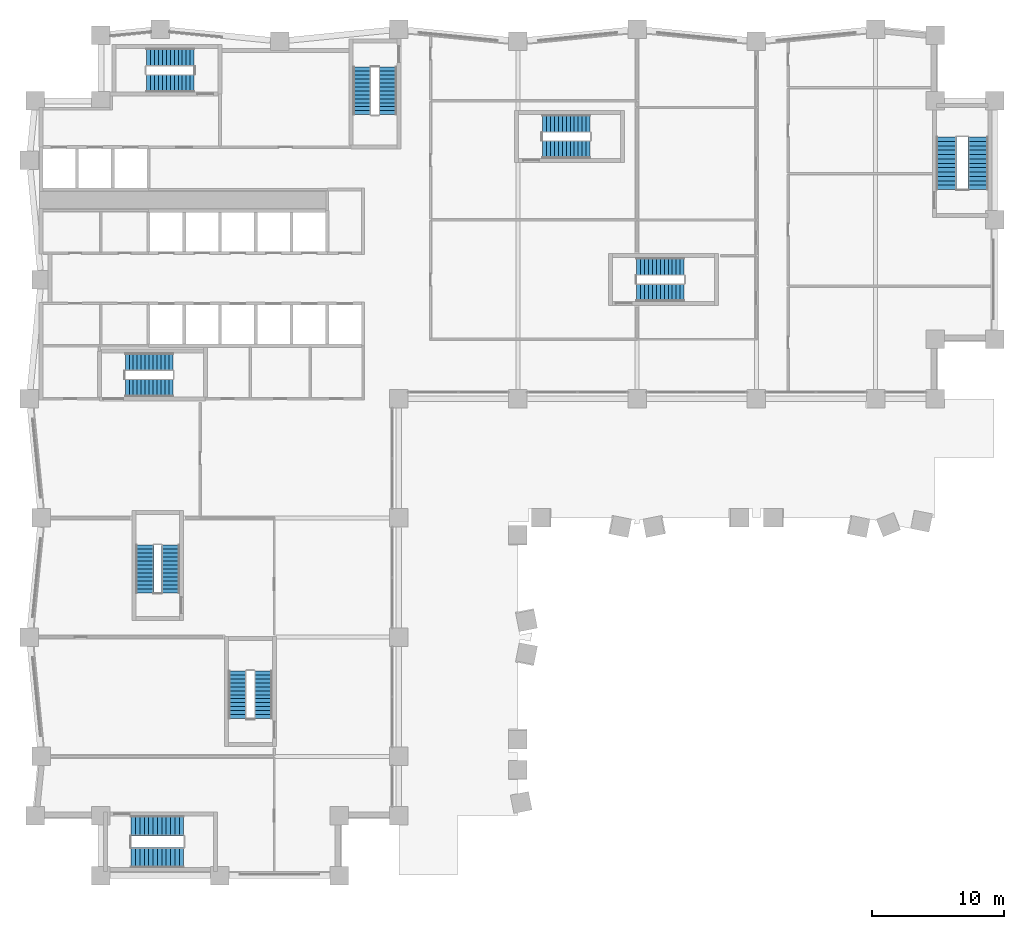
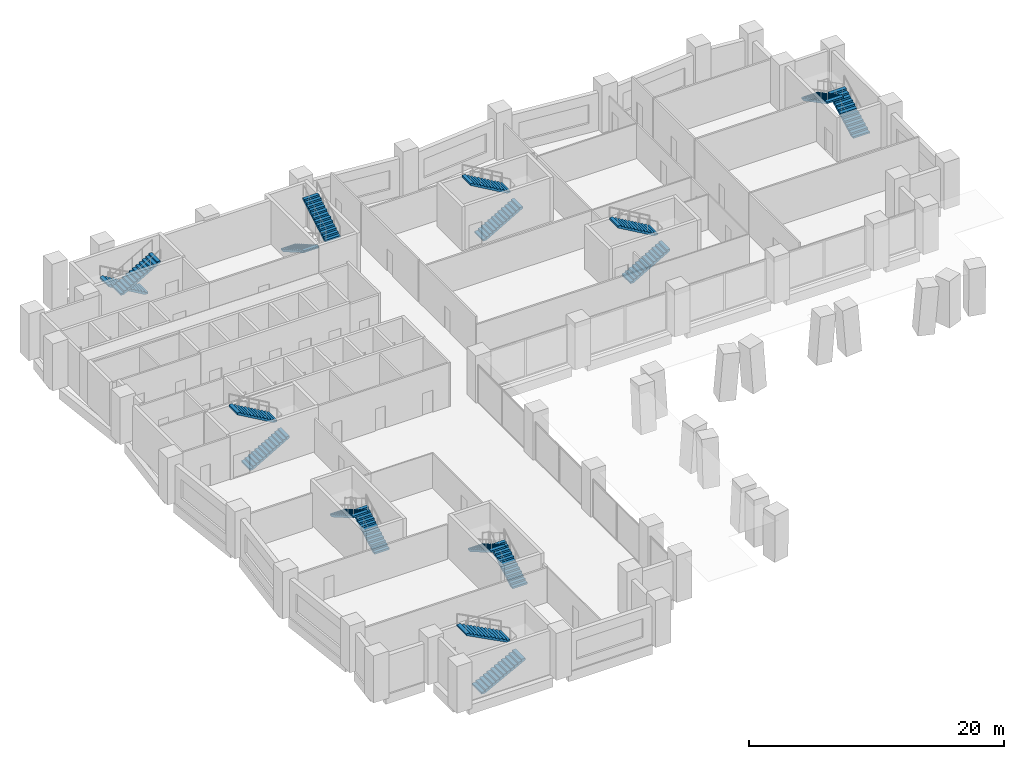
# One storey, part 14 of 18: 18 stair flights, 9 elements without a shape of their own.
"""IFC4 building model written with IfcOpenShell, lengths in metres."""

from ifc_helpers import new_model, si_unit, direction, frame, origin, place, context, subcontext, project, spatial, polyline, outline, extrude, material, type_object, element, aggregate, save


model = new_model("IFC4")

# Units and contexts
model_context = context("Model", 3, precision=1e-05, world=origin(), true_north=direction((0.0, 1.0)))
body_context = subcontext(model_context, "Body", "Model", "MODEL_VIEW")
ifc_project = project(units=[si_unit("LENGTHUNIT", "METRE"), si_unit("AREAUNIT", "SQUARE_METRE"), si_unit("VOLUMEUNIT", "CUBIC_METRE"), si_unit("PLANEANGLEUNIT", "RADIAN"), si_unit("MASSUNIT", "GRAM", prefix="KILO")], contexts=[model_context])

# Site, building, storey
site_placement = place(None, origin())
site = spatial("IfcSite", under=ifc_project, at=site_placement, CompositionType="ELEMENT")
building_placement = place(site_placement, origin())
building = spatial("IfcBuilding", under=site, at=building_placement, Name="Brondeck Convention Tower", CompositionType="ELEMENT")
storey_placement = place(building_placement, frame((0.0, 0.0, 27.5)))
storey = spatial("IfcBuildingStorey", under=building, at=storey_placement, Name="L04", CompositionType="ELEMENT", Elevation=27.5)

# Stair, stair flights
ifc_material = material(Name="Precast concrete C50/60", Category="concrete")
stair_type_1 = type_object("IfcStairType", Name="Core stair 26 risers 173.08 mm riser 300 mm going 1350 wide", PredefinedType="HALF_TURN_STAIR", material=ifc_material)
stair_1_placement = place(storey_placement, origin())
stair_1 = element("IfcStair", 1, at=stair_1_placement, inside=storey, type_object=stair_type_1, Name="ST-1 L04 stair", PredefinedType="HALF_TURN_STAIR")
stair_flight_type_1 = type_object("IfcStairFlightType", Name="Core stair flight 26 risers 173.08 mm riser 300 mm going 1350 wide", PredefinedType="STRAIGHT", material=ifc_material)
stair_flight_1_placement = place(storey_placement, frame((6.35009765625, 36.824951171875, 0.0), z_axis=(0.0, 0.0, 1.0), x_axis=(1.0, 0.0, 0.0)))
stair_flight_1 = element("IfcStairFlight", 2, at=stair_flight_1_placement, type_object=stair_flight_type_1, Name="ST-1 flight 1", NumberOfRisers=13, NumberOfTreads=12, PredefinedType="STRAIGHT", RiserHeight=0.173076923, TreadLength=0.3, context=body_context, shape_type="SweptSolid", body=[
    extrude(outline(polyline([(0.0, 0.0), (0.0, 0.173095703125), (0.300048828125, 0.173095703125), (0.300048828125, 0.34619140625), (0.60009765625, 0.34619140625), (0.60009765625, 0.519287109375), (0.89990234375, 0.519287109375), (0.89990234375, 0.6923828125), (1.199951171875, 0.6923828125), (1.199951171875, 0.865478515625), (1.5, 0.865478515625), (1.5, 1.03857421875), (1.800048828125, 1.03857421875), (1.800048828125, 1.21142578125), (2.10009765625, 1.21142578125), (2.10009765625, 1.384521484375), (2.39990234375, 1.384521484375), (2.39990234375, 1.5576171875), (2.699951171875, 1.5576171875), (2.699951171875, 1.730712890625), (3.0, 1.730712890625), (3.0, 1.90380859375), (3.300048828125, 1.90380859375), (3.300048828125, 2.076904296875), (3.60009765625, 2.076904296875), (3.60009765625, 2.25), (3.60009765625, 1.90380859375), (0.300048828125, 0.0), (0.0, 0.0)])), frame((0.0, 0.675048828125, 0.0), z_axis=(0.0, -1.0, 0.0), x_axis=(1.0, 0.0, 0.0)), (0.0, 0.0, 1.0), 1.35009765625),
])
stair_flight_2_placement = place(storey_placement, frame((9.949951171875, 38.77490234375, 2.25), z_axis=(0.0, 0.0, 1.0), x_axis=(-1.0, 0.0, 0.0)))
stair_flight_2 = element("IfcStairFlight", 3, at=stair_flight_2_placement, type_object=stair_flight_type_1, Name="ST-1 flight 2", NumberOfRisers=13, NumberOfTreads=12, PredefinedType="STRAIGHT", RiserHeight=0.173076923, TreadLength=0.3, context=body_context, shape_type="SweptSolid", body=[
    extrude(outline(polyline([(0.0, 0.0), (0.0, 0.173095703125), (0.300048828125, 0.173095703125), (0.300048828125, 0.34619140625), (0.60009765625, 0.34619140625), (0.60009765625, 0.519287109375), (0.89990234375, 0.519287109375), (0.89990234375, 0.6923828125), (1.199951171875, 0.6923828125), (1.199951171875, 0.865478515625), (1.5, 0.865478515625), (1.5, 1.03857421875), (1.800048828125, 1.03857421875), (1.800048828125, 1.21142578125), (2.10009765625, 1.21142578125), (2.10009765625, 1.384521484375), (2.39990234375, 1.384521484375), (2.39990234375, 1.5576171875), (2.699951171875, 1.5576171875), (2.699951171875, 1.730712890625), (3.0, 1.730712890625), (3.0, 1.90380859375), (3.300048828125, 1.90380859375), (3.300048828125, 2.076904296875), (3.60009765625, 2.076904296875), (3.60009765625, 2.25), (3.60009765625, 1.90380859375), (0.300048828125, 0.0), (0.0, 0.0)])), frame((0.0, 0.675048828125, 0.0), z_axis=(0.0, -1.0, 0.0), x_axis=(1.0, 0.0, 0.0)), (0.0, 0.0, 1.0), 1.35009765625),
])
aggregate(stair_1, [stair_flight_1, stair_flight_2])

stair_2_placement = place(storey_placement, origin())
stair_2 = element("IfcStair", 4, at=stair_2_placement, inside=storey, type_object=stair_type_1, Name="ST-2 L04 stair", PredefinedType="HALF_TURN_STAIR")
stair_flight_3_placement = place(storey_placement, frame((24.22509765625, 61.050048828125, 0.0), z_axis=(0.0, 0.0, 1.0), x_axis=(0.0, -1.0, 0.0)))
stair_flight_3 = element("IfcStairFlight", 5, at=stair_flight_3_placement, type_object=stair_flight_type_1, Name="ST-2 flight 1", NumberOfRisers=13, NumberOfTreads=12, PredefinedType="STRAIGHT", RiserHeight=0.173076923, TreadLength=0.3, context=body_context, shape_type="SweptSolid", body=[
    extrude(outline(polyline([(0.0, 0.0), (0.0, 0.173095703125), (0.300048828125, 0.173095703125), (0.300048828125, 0.34619140625), (0.60009765625, 0.34619140625), (0.60009765625, 0.519287109375), (0.89990234375, 0.519287109375), (0.89990234375, 0.6923828125), (1.199951171875, 0.6923828125), (1.199951171875, 0.865478515625), (1.5, 0.865478515625), (1.5, 1.03857421875), (1.800048828125, 1.03857421875), (1.800048828125, 1.21142578125), (2.10009765625, 1.21142578125), (2.10009765625, 1.384521484375), (2.39990234375, 1.384521484375), (2.39990234375, 1.5576171875), (2.699951171875, 1.5576171875), (2.699951171875, 1.730712890625), (3.0, 1.730712890625), (3.0, 1.90380859375), (3.300048828125, 1.90380859375), (3.300048828125, 2.076904296875), (3.60009765625, 2.076904296875), (3.60009765625, 2.25), (3.60009765625, 1.90380859375), (0.300048828125, 0.0), (0.0, 0.0)])), frame((0.0, 0.675048828125, 0.0), z_axis=(0.0, -1.0, 0.0), x_axis=(1.0, 0.0, 0.0)), (0.0, 0.0, 1.0), 1.35009765625),
])
stair_flight_4_placement = place(storey_placement, frame((26.175048828125, 57.449951171875, 2.25), z_axis=(0.0, 0.0, 1.0), x_axis=(0.0, 1.0, 0.0)))
stair_flight_4 = element("IfcStairFlight", 6, at=stair_flight_4_placement, type_object=stair_flight_type_1, Name="ST-2 flight 2", NumberOfRisers=13, NumberOfTreads=12, PredefinedType="STRAIGHT", RiserHeight=0.173076923, TreadLength=0.3, context=body_context, shape_type="SweptSolid", body=[
    extrude(outline(polyline([(0.0, 0.0), (0.0, 0.173095703125), (0.300048828125, 0.173095703125), (0.300048828125, 0.34619140625), (0.60009765625, 0.34619140625), (0.60009765625, 0.519287109375), (0.89990234375, 0.519287109375), (0.89990234375, 0.6923828125), (1.199951171875, 0.6923828125), (1.199951171875, 0.865478515625), (1.5, 0.865478515625), (1.5, 1.03857421875), (1.800048828125, 1.03857421875), (1.800048828125, 1.21142578125), (2.10009765625, 1.21142578125), (2.10009765625, 1.384521484375), (2.39990234375, 1.384521484375), (2.39990234375, 1.5576171875), (2.699951171875, 1.5576171875), (2.699951171875, 1.730712890625), (3.0, 1.730712890625), (3.0, 1.90380859375), (3.300048828125, 1.90380859375), (3.300048828125, 2.076904296875), (3.60009765625, 2.076904296875), (3.60009765625, 2.25), (3.60009765625, 1.90380859375), (0.300048828125, 0.0), (0.0, 0.0)])), frame((0.0, 0.675048828125, 0.0), z_axis=(0.0, -1.0, 0.0), x_axis=(1.0, 0.0, 0.0)), (0.0, 0.0, 1.0), 1.35009765625),
])
aggregate(stair_2, [stair_flight_3, stair_flight_4])

stair_3_placement = place(storey_placement, origin())
stair_3 = element("IfcStair", 7, at=stair_3_placement, inside=storey, type_object=stair_type_1, Name="ST-3 L04 stair", PredefinedType="HALF_TURN_STAIR")
stair_flight_5_placement = place(storey_placement, frame((11.550048828125, 61.77490234375, 0.0), z_axis=(0.0, 0.0, 1.0), x_axis=(-1.0, 0.0, 0.0)))
stair_flight_5 = element("IfcStairFlight", 8, at=stair_flight_5_placement, type_object=stair_flight_type_1, Name="ST-3 flight 1", NumberOfRisers=13, NumberOfTreads=12, PredefinedType="STRAIGHT", RiserHeight=0.173076923, TreadLength=0.3, context=body_context, shape_type="SweptSolid", body=[
    extrude(outline(polyline([(0.0, 0.0), (0.0, 0.173095703125), (0.300048828125, 0.173095703125), (0.300048828125, 0.34619140625), (0.60009765625, 0.34619140625), (0.60009765625, 0.519287109375), (0.89990234375, 0.519287109375), (0.89990234375, 0.6923828125), (1.199951171875, 0.6923828125), (1.199951171875, 0.865478515625), (1.5, 0.865478515625), (1.5, 1.03857421875), (1.800048828125, 1.03857421875), (1.800048828125, 1.21142578125), (2.10009765625, 1.21142578125), (2.10009765625, 1.384521484375), (2.39990234375, 1.384521484375), (2.39990234375, 1.5576171875), (2.699951171875, 1.5576171875), (2.699951171875, 1.730712890625), (3.0, 1.730712890625), (3.0, 1.90380859375), (3.300048828125, 1.90380859375), (3.300048828125, 2.076904296875), (3.60009765625, 2.076904296875), (3.60009765625, 2.25), (3.60009765625, 1.90380859375), (0.300048828125, 0.0), (0.0, 0.0)])), frame((0.0, 0.675048828125, 0.0), z_axis=(0.0, -1.0, 0.0), x_axis=(1.0, 0.0, 0.0)), (0.0, 0.0, 1.0), 1.35009765625),
])
stair_flight_6_placement = place(storey_placement, frame((7.949951171875, 59.824951171875, 2.25), z_axis=(0.0, 0.0, 1.0), x_axis=(1.0, 0.0, 0.0)))
stair_flight_6 = element("IfcStairFlight", 9, at=stair_flight_6_placement, type_object=stair_flight_type_1, Name="ST-3 flight 2", NumberOfRisers=13, NumberOfTreads=12, PredefinedType="STRAIGHT", RiserHeight=0.173076923, TreadLength=0.3, context=body_context, shape_type="SweptSolid", body=[
    extrude(outline(polyline([(0.0, 0.0), (0.0, 0.173095703125), (0.300048828125, 0.173095703125), (0.300048828125, 0.34619140625), (0.60009765625, 0.34619140625), (0.60009765625, 0.519287109375), (0.89990234375, 0.519287109375), (0.89990234375, 0.6923828125), (1.199951171875, 0.6923828125), (1.199951171875, 0.865478515625), (1.5, 0.865478515625), (1.5, 1.03857421875), (1.800048828125, 1.03857421875), (1.800048828125, 1.21142578125), (2.10009765625, 1.21142578125), (2.10009765625, 1.384521484375), (2.39990234375, 1.384521484375), (2.39990234375, 1.5576171875), (2.699951171875, 1.5576171875), (2.699951171875, 1.730712890625), (3.0, 1.730712890625), (3.0, 1.90380859375), (3.300048828125, 1.90380859375), (3.300048828125, 2.076904296875), (3.60009765625, 2.076904296875), (3.60009765625, 2.25), (3.60009765625, 1.90380859375), (0.300048828125, 0.0), (0.0, 0.0)])), frame((0.0, 0.675048828125, 0.0), z_axis=(0.0, -1.0, 0.0), x_axis=(1.0, 0.0, 0.0)), (0.0, 0.0, 1.0), 1.35009765625),
])
aggregate(stair_3, [stair_flight_5, stair_flight_6])

stair_4_placement = place(storey_placement, origin())
stair_4 = element("IfcStair", 10, at=stair_4_placement, inside=storey, type_object=stair_type_1, Name="ST-AE L04 stair", PredefinedType="HALF_TURN_STAIR")
stair_flight_7_placement = place(storey_placement, frame((37.85009765625, 54.824951171875, 0.0), z_axis=(0.0, 0.0, 1.0), x_axis=(1.0, 0.0, 0.0)))
stair_flight_7 = element("IfcStairFlight", 11, at=stair_flight_7_placement, type_object=stair_flight_type_1, Name="ST-AE flight 1", NumberOfRisers=13, NumberOfTreads=12, PredefinedType="STRAIGHT", RiserHeight=0.173076923, TreadLength=0.3, context=body_context, shape_type="SweptSolid", body=[
    extrude(outline(polyline([(0.0, 0.0), (0.0, 0.173095703125), (0.300048828125, 0.173095703125), (0.300048828125, 0.34619140625), (0.60009765625, 0.34619140625), (0.60009765625, 0.519287109375), (0.89990234375, 0.519287109375), (0.89990234375, 0.6923828125), (1.199951171875, 0.6923828125), (1.199951171875, 0.865478515625), (1.5, 0.865478515625), (1.5, 1.03857421875), (1.800048828125, 1.03857421875), (1.800048828125, 1.21142578125), (2.10009765625, 1.21142578125), (2.10009765625, 1.384521484375), (2.39990234375, 1.384521484375), (2.39990234375, 1.5576171875), (2.699951171875, 1.5576171875), (2.699951171875, 1.730712890625), (3.0, 1.730712890625), (3.0, 1.90380859375), (3.300048828125, 1.90380859375), (3.300048828125, 2.076904296875), (3.60009765625, 2.076904296875), (3.60009765625, 2.25), (3.60009765625, 1.90380859375), (0.300048828125, 0.0), (0.0, 0.0)])), frame((0.0, 0.675048828125, 0.0), z_axis=(0.0, -1.0, 0.0), x_axis=(1.0, 0.0, 0.0)), (0.0, 0.0, 1.0), 1.35009765625),
])
stair_flight_8_placement = place(storey_placement, frame((41.449951171875, 56.77490234375, 2.25), z_axis=(0.0, 0.0, 1.0), x_axis=(-1.0, 0.0, 0.0)))
stair_flight_8 = element("IfcStairFlight", 12, at=stair_flight_8_placement, type_object=stair_flight_type_1, Name="ST-AE flight 2", NumberOfRisers=13, NumberOfTreads=12, PredefinedType="STRAIGHT", RiserHeight=0.173076923, TreadLength=0.3, context=body_context, shape_type="SweptSolid", body=[
    extrude(outline(polyline([(0.0, 0.0), (0.0, 0.173095703125), (0.300048828125, 0.173095703125), (0.300048828125, 0.34619140625), (0.60009765625, 0.34619140625), (0.60009765625, 0.519287109375), (0.89990234375, 0.519287109375), (0.89990234375, 0.6923828125), (1.199951171875, 0.6923828125), (1.199951171875, 0.865478515625), (1.5, 0.865478515625), (1.5, 1.03857421875), (1.800048828125, 1.03857421875), (1.800048828125, 1.21142578125), (2.10009765625, 1.21142578125), (2.10009765625, 1.384521484375), (2.39990234375, 1.384521484375), (2.39990234375, 1.5576171875), (2.699951171875, 1.5576171875), (2.699951171875, 1.730712890625), (3.0, 1.730712890625), (3.0, 1.90380859375), (3.300048828125, 1.90380859375), (3.300048828125, 2.076904296875), (3.60009765625, 2.076904296875), (3.60009765625, 2.25), (3.60009765625, 1.90380859375), (0.300048828125, 0.0), (0.0, 0.0)])), frame((0.0, 0.675048828125, 0.0), z_axis=(0.0, -1.0, 0.0), x_axis=(1.0, 0.0, 0.0)), (0.0, 0.0, 1.0), 1.35009765625),
])
aggregate(stair_4, [stair_flight_7, stair_flight_8])

stair_5_placement = place(storey_placement, origin())
stair_5 = element("IfcStair", 13, at=stair_5_placement, inside=storey, type_object=stair_type_1, Name="ST-BE L04 stair", PredefinedType="HALF_TURN_STAIR")
stair_flight_9_placement = place(storey_placement, frame((9.77490234375, 21.35009765625, 0.0), z_axis=(0.0, 0.0, 1.0), x_axis=(0.0, 1.0, 0.0)))
stair_flight_9 = element("IfcStairFlight", 14, at=stair_flight_9_placement, type_object=stair_flight_type_1, Name="ST-BE flight 1", NumberOfRisers=13, NumberOfTreads=12, PredefinedType="STRAIGHT", RiserHeight=0.173076923, TreadLength=0.3, context=body_context, shape_type="SweptSolid", body=[
    extrude(outline(polyline([(0.0, 0.0), (0.0, 0.173095703125), (0.300048828125, 0.173095703125), (0.300048828125, 0.34619140625), (0.60009765625, 0.34619140625), (0.60009765625, 0.519287109375), (0.89990234375, 0.519287109375), (0.89990234375, 0.6923828125), (1.199951171875, 0.6923828125), (1.199951171875, 0.865478515625), (1.5, 0.865478515625), (1.5, 1.03857421875), (1.800048828125, 1.03857421875), (1.800048828125, 1.21142578125), (2.10009765625, 1.21142578125), (2.10009765625, 1.384521484375), (2.39990234375, 1.384521484375), (2.39990234375, 1.5576171875), (2.699951171875, 1.5576171875), (2.699951171875, 1.730712890625), (3.0, 1.730712890625), (3.0, 1.90380859375), (3.300048828125, 1.90380859375), (3.300048828125, 2.076904296875), (3.60009765625, 2.076904296875), (3.60009765625, 2.25), (3.60009765625, 1.90380859375), (0.300048828125, 0.0), (0.0, 0.0)])), frame((0.0, 0.675048828125, 0.0), z_axis=(0.0, -1.0, 0.0), x_axis=(1.0, 0.0, 0.0)), (0.0, 0.0, 1.0), 1.35009765625),
])
stair_flight_10_placement = place(storey_placement, frame((7.824951171875, 24.949951171875, 2.25), z_axis=(0.0, 0.0, 1.0), x_axis=(0.0, -1.0, 0.0)))
stair_flight_10 = element("IfcStairFlight", 15, at=stair_flight_10_placement, type_object=stair_flight_type_1, Name="ST-BE flight 2", NumberOfRisers=13, NumberOfTreads=12, PredefinedType="STRAIGHT", RiserHeight=0.173076923, TreadLength=0.3, context=body_context, shape_type="SweptSolid", body=[
    extrude(outline(polyline([(0.0, 0.0), (0.0, 0.173095703125), (0.300048828125, 0.173095703125), (0.300048828125, 0.34619140625), (0.60009765625, 0.34619140625), (0.60009765625, 0.519287109375), (0.89990234375, 0.519287109375), (0.89990234375, 0.6923828125), (1.199951171875, 0.6923828125), (1.199951171875, 0.865478515625), (1.5, 0.865478515625), (1.5, 1.03857421875), (1.800048828125, 1.03857421875), (1.800048828125, 1.21142578125), (2.10009765625, 1.21142578125), (2.10009765625, 1.384521484375), (2.39990234375, 1.384521484375), (2.39990234375, 1.5576171875), (2.699951171875, 1.5576171875), (2.699951171875, 1.730712890625), (3.0, 1.730712890625), (3.0, 1.90380859375), (3.300048828125, 1.90380859375), (3.300048828125, 2.076904296875), (3.60009765625, 2.076904296875), (3.60009765625, 2.25), (3.60009765625, 1.90380859375), (0.300048828125, 0.0), (0.0, 0.0)])), frame((0.0, 0.675048828125, 0.0), z_axis=(0.0, -1.0, 0.0), x_axis=(1.0, 0.0, 0.0)), (0.0, 0.0, 1.0), 1.35009765625),
])
aggregate(stair_5, [stair_flight_9, stair_flight_10])

stair_6_placement = place(storey_placement, origin())
stair_6 = element("IfcStair", 16, at=stair_6_placement, inside=storey, type_object=stair_type_1, Name="ST-AF L04 stair", PredefinedType="HALF_TURN_STAIR")
stair_flight_11_placement = place(storey_placement, frame((44.949951171875, 44.02490234375, 0.0), z_axis=(0.0, 0.0, 1.0), x_axis=(1.0, 0.0, 0.0)))
stair_flight_11 = element("IfcStairFlight", 17, at=stair_flight_11_placement, type_object=stair_flight_type_1, Name="ST-AF flight 1", NumberOfRisers=13, NumberOfTreads=12, PredefinedType="STRAIGHT", RiserHeight=0.173076923, TreadLength=0.3, context=body_context, shape_type="SweptSolid", body=[
    extrude(outline(polyline([(0.0, 0.0), (0.0, 0.173095703125), (0.300048828125, 0.173095703125), (0.300048828125, 0.34619140625), (0.60009765625, 0.34619140625), (0.60009765625, 0.519287109375), (0.89990234375, 0.519287109375), (0.89990234375, 0.6923828125), (1.199951171875, 0.6923828125), (1.199951171875, 0.865478515625), (1.5, 0.865478515625), (1.5, 1.03857421875), (1.800048828125, 1.03857421875), (1.800048828125, 1.21142578125), (2.10009765625, 1.21142578125), (2.10009765625, 1.384521484375), (2.39990234375, 1.384521484375), (2.39990234375, 1.5576171875), (2.699951171875, 1.5576171875), (2.699951171875, 1.730712890625), (3.0, 1.730712890625), (3.0, 1.90380859375), (3.300048828125, 1.90380859375), (3.300048828125, 2.076904296875), (3.60009765625, 2.076904296875), (3.60009765625, 2.25), (3.60009765625, 1.90380859375), (0.300048828125, 0.0), (0.0, 0.0)])), frame((0.0, 0.675048828125, 0.0), z_axis=(0.0, -1.0, 0.0), x_axis=(1.0, 0.0, 0.0)), (0.0, 0.0, 1.0), 1.35009765625),
])
stair_flight_12_placement = place(storey_placement, frame((48.550048828125, 45.97509765625, 2.25), z_axis=(0.0, 0.0, 1.0), x_axis=(-1.0, 0.0, 0.0)))
stair_flight_12 = element("IfcStairFlight", 18, at=stair_flight_12_placement, type_object=stair_flight_type_1, Name="ST-AF flight 2", NumberOfRisers=13, NumberOfTreads=12, PredefinedType="STRAIGHT", RiserHeight=0.173076923, TreadLength=0.3, context=body_context, shape_type="SweptSolid", body=[
    extrude(outline(polyline([(0.0, 0.0), (0.0, 0.173095703125), (0.300048828125, 0.173095703125), (0.300048828125, 0.34619140625), (0.60009765625, 0.34619140625), (0.60009765625, 0.519287109375), (0.89990234375, 0.519287109375), (0.89990234375, 0.6923828125), (1.199951171875, 0.6923828125), (1.199951171875, 0.865478515625), (1.5, 0.865478515625), (1.5, 1.03857421875), (1.800048828125, 1.03857421875), (1.800048828125, 1.21142578125), (2.10009765625, 1.21142578125), (2.10009765625, 1.384521484375), (2.39990234375, 1.384521484375), (2.39990234375, 1.5576171875), (2.699951171875, 1.5576171875), (2.699951171875, 1.730712890625), (3.0, 1.730712890625), (3.0, 1.90380859375), (3.300048828125, 1.90380859375), (3.300048828125, 2.076904296875), (3.60009765625, 2.076904296875), (3.60009765625, 2.25), (3.60009765625, 1.90380859375), (0.300048828125, 0.0), (0.0, 0.0)])), frame((0.0, 0.675048828125, 0.0), z_axis=(0.0, -1.0, 0.0), x_axis=(1.0, 0.0, 0.0)), (0.0, 0.0, 1.0), 1.35009765625),
])
aggregate(stair_6, [stair_flight_11, stair_flight_12])

stair_7_placement = place(storey_placement, origin())
stair_7 = element("IfcStair", 19, at=stair_7_placement, inside=storey, type_object=stair_type_1, Name="ST-BF L04 stair", PredefinedType="HALF_TURN_STAIR")
stair_flight_13_placement = place(storey_placement, frame((16.77490234375, 11.85009765625, 0.0), z_axis=(0.0, 0.0, 1.0), x_axis=(0.0, 1.0, 0.0)))
stair_flight_13 = element("IfcStairFlight", 20, at=stair_flight_13_placement, type_object=stair_flight_type_1, Name="ST-BF flight 1", NumberOfRisers=13, NumberOfTreads=12, PredefinedType="STRAIGHT", RiserHeight=0.173076923, TreadLength=0.3, context=body_context, shape_type="SweptSolid", body=[
    extrude(outline(polyline([(0.0, 0.0), (0.0, 0.173095703125), (0.300048828125, 0.173095703125), (0.300048828125, 0.34619140625), (0.60009765625, 0.34619140625), (0.60009765625, 0.519287109375), (0.89990234375, 0.519287109375), (0.89990234375, 0.6923828125), (1.199951171875, 0.6923828125), (1.199951171875, 0.865478515625), (1.5, 0.865478515625), (1.5, 1.03857421875), (1.800048828125, 1.03857421875), (1.800048828125, 1.21142578125), (2.10009765625, 1.21142578125), (2.10009765625, 1.384521484375), (2.39990234375, 1.384521484375), (2.39990234375, 1.5576171875), (2.699951171875, 1.5576171875), (2.699951171875, 1.730712890625), (3.0, 1.730712890625), (3.0, 1.90380859375), (3.300048828125, 1.90380859375), (3.300048828125, 2.076904296875), (3.60009765625, 2.076904296875), (3.60009765625, 2.25), (3.60009765625, 1.90380859375), (0.300048828125, 0.0), (0.0, 0.0)])), frame((0.0, 0.675048828125, 0.0), z_axis=(0.0, -1.0, 0.0), x_axis=(1.0, 0.0, 0.0)), (0.0, 0.0, 1.0), 1.35009765625),
])
stair_flight_14_placement = place(storey_placement, frame((14.824951171875, 15.449951171875, 2.25), z_axis=(0.0, 0.0, 1.0), x_axis=(0.0, -1.0, 0.0)))
stair_flight_14 = element("IfcStairFlight", 21, at=stair_flight_14_placement, type_object=stair_flight_type_1, Name="ST-BF flight 2", NumberOfRisers=13, NumberOfTreads=12, PredefinedType="STRAIGHT", RiserHeight=0.173076923, TreadLength=0.3, context=body_context, shape_type="SweptSolid", body=[
    extrude(outline(polyline([(0.0, 0.0), (0.0, 0.173095703125), (0.300048828125, 0.173095703125), (0.300048828125, 0.34619140625), (0.60009765625, 0.34619140625), (0.60009765625, 0.519287109375), (0.89990234375, 0.519287109375), (0.89990234375, 0.6923828125), (1.199951171875, 0.6923828125), (1.199951171875, 0.865478515625), (1.5, 0.865478515625), (1.5, 1.03857421875), (1.800048828125, 1.03857421875), (1.800048828125, 1.21142578125), (2.10009765625, 1.21142578125), (2.10009765625, 1.384521484375), (2.39990234375, 1.384521484375), (2.39990234375, 1.5576171875), (2.699951171875, 1.5576171875), (2.699951171875, 1.730712890625), (3.0, 1.730712890625), (3.0, 1.90380859375), (3.300048828125, 1.90380859375), (3.300048828125, 2.076904296875), (3.60009765625, 2.076904296875), (3.60009765625, 2.25), (3.60009765625, 1.90380859375), (0.300048828125, 0.0), (0.0, 0.0)])), frame((0.0, 0.675048828125, 0.0), z_axis=(0.0, -1.0, 0.0), x_axis=(1.0, 0.0, 0.0)), (0.0, 0.0, 1.0), 1.35009765625),
])
aggregate(stair_7, [stair_flight_13, stair_flight_14])

stair_type_2 = type_object("IfcStairType", Name="Core stair 26 risers 173.08 mm riser 330 mm going 1500 wide", PredefinedType="HALF_TURN_STAIR", material=ifc_material)
stair_8_placement = place(storey_placement, origin())
stair_8 = element("IfcStair", 22, at=stair_8_placement, inside=storey, type_object=stair_type_2, Name="PS-1 L04 stair", PredefinedType="HALF_TURN_STAIR")
stair_flight_type_2 = type_object("IfcStairFlightType", Name="Core stair flight 26 risers 173.08 mm riser 330 mm going 1500 wide", PredefinedType="STRAIGHT", material=ifc_material)
stair_flight_15_placement = place(storey_placement, frame((70.75, 51.800048828125, 0.0), z_axis=(0.0, 0.0, 1.0), x_axis=(0.0, 1.0, 0.0)))
stair_flight_15 = element("IfcStairFlight", 23, at=stair_flight_15_placement, type_object=stair_flight_type_2, Name="PS-1 flight 1", NumberOfRisers=13, NumberOfTreads=12, PredefinedType="STRAIGHT", RiserHeight=0.173076923, TreadLength=0.33, context=body_context, shape_type="SweptSolid", body=[
    extrude(outline(polyline([(0.0, 0.0), (0.0, 0.173095703125), (0.330078125, 0.173095703125), (0.330078125, 0.34619140625), (0.659912109375, 0.34619140625), (0.659912109375, 0.519287109375), (0.989990234375, 0.519287109375), (0.989990234375, 0.6923828125), (1.320068359375, 0.6923828125), (1.320068359375, 0.865478515625), (1.64990234375, 0.865478515625), (1.64990234375, 1.03857421875), (1.97998046875, 1.03857421875), (1.97998046875, 1.21142578125), (2.31005859375, 1.21142578125), (2.31005859375, 1.384521484375), (2.639892578125, 1.384521484375), (2.639892578125, 1.5576171875), (2.969970703125, 1.5576171875), (2.969970703125, 1.730712890625), (3.300048828125, 1.730712890625), (3.300048828125, 1.90380859375), (3.6298828125, 1.90380859375), (3.6298828125, 2.076904296875), (3.9599609375, 2.076904296875), (3.9599609375, 2.25), (3.9599609375, 1.90771484375), (0.32275390625, 0.0), (0.0, 0.0)])), frame((0.0, 0.75, 0.0), z_axis=(0.0, -1.0, 0.0), x_axis=(1.0, 0.0, 0.0)), (0.0, 0.0, 1.0), 1.5),
])
stair_flight_16_placement = place(storey_placement, frame((68.35009765625, 55.760009765625, 2.25), z_axis=(0.0, 0.0, 1.0), x_axis=(0.0, -1.0, 0.0)))
stair_flight_16 = element("IfcStairFlight", 24, at=stair_flight_16_placement, type_object=stair_flight_type_2, Name="PS-1 flight 2", NumberOfRisers=13, NumberOfTreads=12, PredefinedType="STRAIGHT", RiserHeight=0.173076923, TreadLength=0.33, context=body_context, shape_type="SweptSolid", body=[
    extrude(outline(polyline([(0.0, 0.0), (0.0, 0.173095703125), (0.330078125, 0.173095703125), (0.330078125, 0.34619140625), (0.659912109375, 0.34619140625), (0.659912109375, 0.519287109375), (0.989990234375, 0.519287109375), (0.989990234375, 0.6923828125), (1.320068359375, 0.6923828125), (1.320068359375, 0.865478515625), (1.64990234375, 0.865478515625), (1.64990234375, 1.03857421875), (1.97998046875, 1.03857421875), (1.97998046875, 1.21142578125), (2.31005859375, 1.21142578125), (2.31005859375, 1.384521484375), (2.639892578125, 1.384521484375), (2.639892578125, 1.5576171875), (2.969970703125, 1.5576171875), (2.969970703125, 1.730712890625), (3.300048828125, 1.730712890625), (3.300048828125, 1.90380859375), (3.6298828125, 1.90380859375), (3.6298828125, 2.076904296875), (3.9599609375, 2.076904296875), (3.9599609375, 2.25), (3.9599609375, 1.90771484375), (0.32275390625, 0.0), (0.0, 0.0)])), frame((0.0, 0.75, 0.0), z_axis=(0.0, -1.0, 0.0), x_axis=(1.0, 0.0, 0.0)), (0.0, 0.0, 1.0), 1.5),
])
aggregate(stair_8, [stair_flight_15, stair_flight_16])

stair_9_placement = place(storey_placement, origin())
stair_9 = element("IfcStair", 25, at=stair_9_placement, inside=storey, type_object=stair_type_2, Name="PS-2 L04 stair", PredefinedType="HALF_TURN_STAIR")
stair_flight_17_placement = place(storey_placement, frame((6.800048828125, 1.35009765625, 0.0), z_axis=(0.0, 0.0, 1.0), x_axis=(1.0, 0.0, 0.0)))
stair_flight_17 = element("IfcStairFlight", 26, at=stair_flight_17_placement, type_object=stair_flight_type_2, Name="PS-2 flight 1", NumberOfRisers=13, NumberOfTreads=12, PredefinedType="STRAIGHT", RiserHeight=0.173076923, TreadLength=0.33, context=body_context, shape_type="SweptSolid", body=[
    extrude(outline(polyline([(0.0, 0.0), (0.0, 0.173095703125), (0.330078125, 0.173095703125), (0.330078125, 0.34619140625), (0.659912109375, 0.34619140625), (0.659912109375, 0.519287109375), (0.989990234375, 0.519287109375), (0.989990234375, 0.6923828125), (1.320068359375, 0.6923828125), (1.320068359375, 0.865478515625), (1.64990234375, 0.865478515625), (1.64990234375, 1.03857421875), (1.97998046875, 1.03857421875), (1.97998046875, 1.21142578125), (2.31005859375, 1.21142578125), (2.31005859375, 1.384521484375), (2.639892578125, 1.384521484375), (2.639892578125, 1.5576171875), (2.969970703125, 1.5576171875), (2.969970703125, 1.730712890625), (3.300048828125, 1.730712890625), (3.300048828125, 1.90380859375), (3.6298828125, 1.90380859375), (3.6298828125, 2.076904296875), (3.9599609375, 2.076904296875), (3.9599609375, 2.25), (3.9599609375, 1.90771484375), (0.32275390625, 0.0), (0.0, 0.0)])), frame((0.0, 0.75, 0.0), z_axis=(0.0, -1.0, 0.0), x_axis=(1.0, 0.0, 0.0)), (0.0, 0.0, 1.0), 1.5),
])
stair_flight_18_placement = place(storey_placement, frame((10.760009765625, 3.75, 2.25), z_axis=(0.0, 0.0, 1.0), x_axis=(-1.0, 0.0, 0.0)))
stair_flight_18 = element("IfcStairFlight", 27, at=stair_flight_18_placement, type_object=stair_flight_type_2, Name="PS-2 flight 2", NumberOfRisers=13, NumberOfTreads=12, PredefinedType="STRAIGHT", RiserHeight=0.173076923, TreadLength=0.33, context=body_context, shape_type="SweptSolid", body=[
    extrude(outline(polyline([(0.0, 0.0), (0.0, 0.173095703125), (0.330078125, 0.173095703125), (0.330078125, 0.34619140625), (0.659912109375, 0.34619140625), (0.659912109375, 0.519287109375), (0.989990234375, 0.519287109375), (0.989990234375, 0.6923828125), (1.320068359375, 0.6923828125), (1.320068359375, 0.865478515625), (1.64990234375, 0.865478515625), (1.64990234375, 1.03857421875), (1.97998046875, 1.03857421875), (1.97998046875, 1.21142578125), (2.31005859375, 1.21142578125), (2.31005859375, 1.384521484375), (2.639892578125, 1.384521484375), (2.639892578125, 1.5576171875), (2.969970703125, 1.5576171875), (2.969970703125, 1.730712890625), (3.300048828125, 1.730712890625), (3.300048828125, 1.90380859375), (3.6298828125, 1.90380859375), (3.6298828125, 2.076904296875), (3.9599609375, 2.076904296875), (3.9599609375, 2.25), (3.9599609375, 1.90771484375), (0.32275390625, 0.0), (0.0, 0.0)])), frame((0.0, 0.75, 0.0), z_axis=(0.0, -1.0, 0.0), x_axis=(1.0, 0.0, 0.0)), (0.0, 0.0, 1.0), 1.5),
])
aggregate(stair_9, [stair_flight_17, stair_flight_18])

save(model, "model.ifc")
